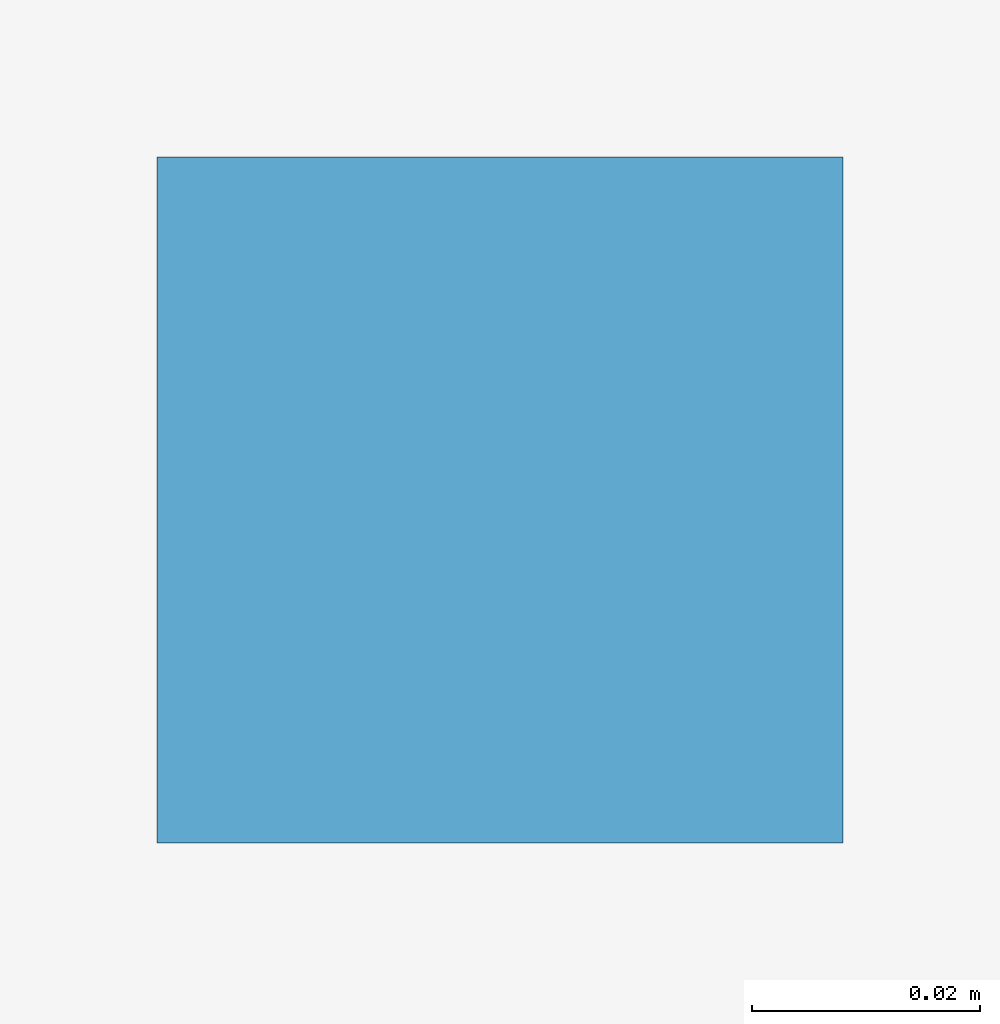
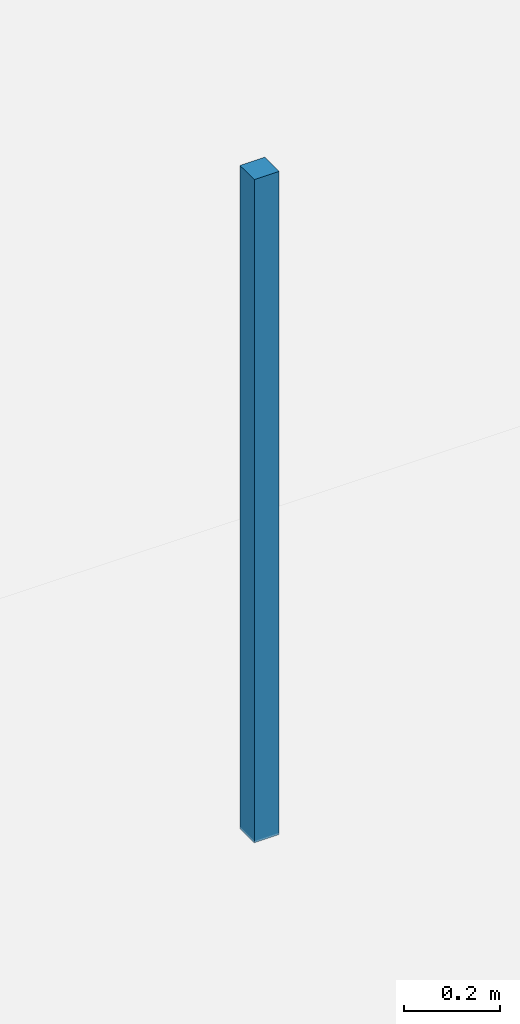
# One storey, part 103 of 119: 1 discrete accessory.
"""IFC4 building model written with IfcOpenShell, lengths in metres."""

from ifc_helpers import new_model, si_unit, derived_unit, direction, frame, origin, origin_2d, place, context, subcontext, project, spatial, rectangle, extrude, material, layer, layer_set, type_object, element, save


model = new_model("IFC4")

# Units and contexts
model_context = context("Model", 3, precision=1e-05, world=origin(), true_north=direction((0.0, 1.0)))
body_context = subcontext(model_context, "Body", "Model", "MODEL_VIEW")
ifc_project = project(units=[si_unit("LENGTHUNIT", "METRE"), si_unit("AREAUNIT", "SQUARE_METRE"), si_unit("VOLUMEUNIT", "CUBIC_METRE"), si_unit("PLANEANGLEUNIT", "RADIAN"), si_unit("MASSUNIT", "GRAM", prefix="KILO"), derived_unit("THERMALTRANSMITTANCEUNIT", [(si_unit("MASSUNIT", "GRAM", prefix="KILO"), 1), (si_unit("TIMEUNIT", "SECOND"), -3), (si_unit("THERMODYNAMICTEMPERATUREUNIT", "KELVIN"), -1)])], contexts=[model_context])

# Site, building, storey
site_placement = place(None, origin())
site = spatial("IfcSite", under=ifc_project, at=site_placement, CompositionType="ELEMENT")
building_placement = place(site_placement, origin())
building = spatial("IfcBuilding", under=site, at=building_placement, Name="Makaiwela Harbour Ferry Terminal", CompositionType="ELEMENT")
storey_placement = place(building_placement, origin())
storey = spatial("IfcBuildingStorey", under=building, at=storey_placement, Name="L00", CompositionType="ELEMENT", Elevation=0.0)

# Discrete accessory
ifc_material = material(Name="Marine grade 316L brushed stainless steel", Category="steel")
ifc_layer = layer(ifc_material, 1.0)
ifc_layer_set = layer_set([ifc_layer], Name="Marine grade 316L brushed stainless steel")
discrete_accessory_type = type_object("IfcDiscreteAccessoryType", Name="INT-ACC-HNG", PredefinedType="BRACKET", material=ifc_layer_set)
discrete_accessory_placement = place(storey_placement, frame((85.800048828125, 85.14990234375, 3.135009765625), z_axis=(0.0, 0.0, 1.0), x_axis=(1.0, 0.0, 0.0)))
element("IfcDiscreteAccessory", 1, at=discrete_accessory_placement, inside=storey, type_object=discrete_accessory_type, Name="Ceiling Suspension Bracket HNG-016", PredefinedType="BRACKET", context=body_context, shape_type="SweptSolid", body=[
    extrude(rectangle(XDim=0.06005859375, YDim=0.06005859375, at=origin_2d()), origin(), (0.0, 0.0, 1.0), 1.68994140625),
])

save(model, "model.ifc")
